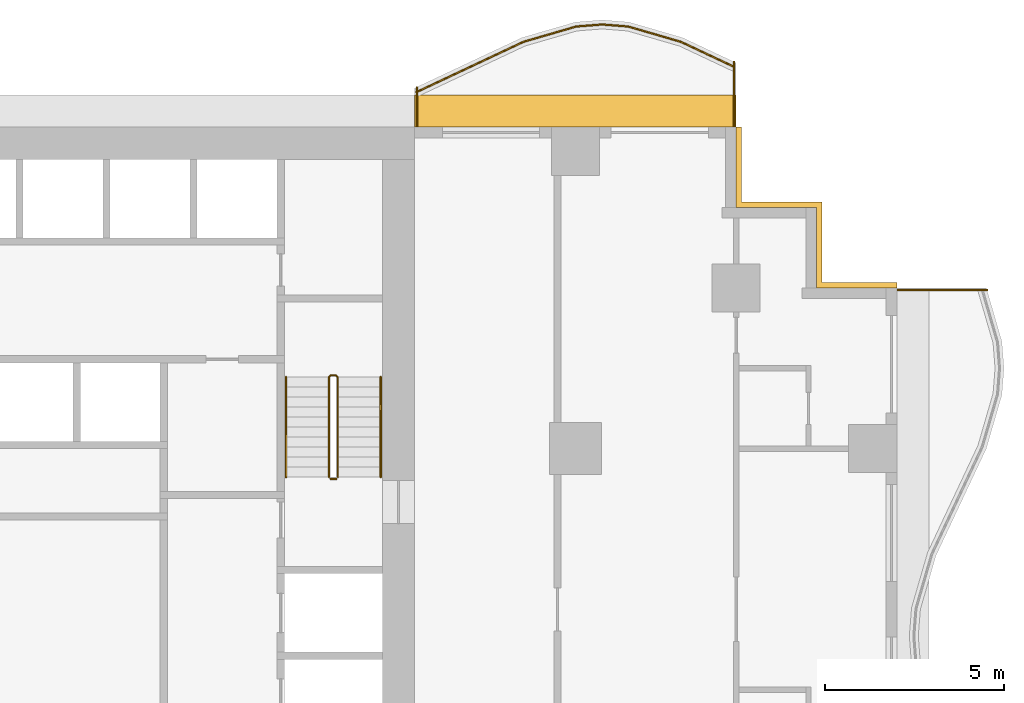
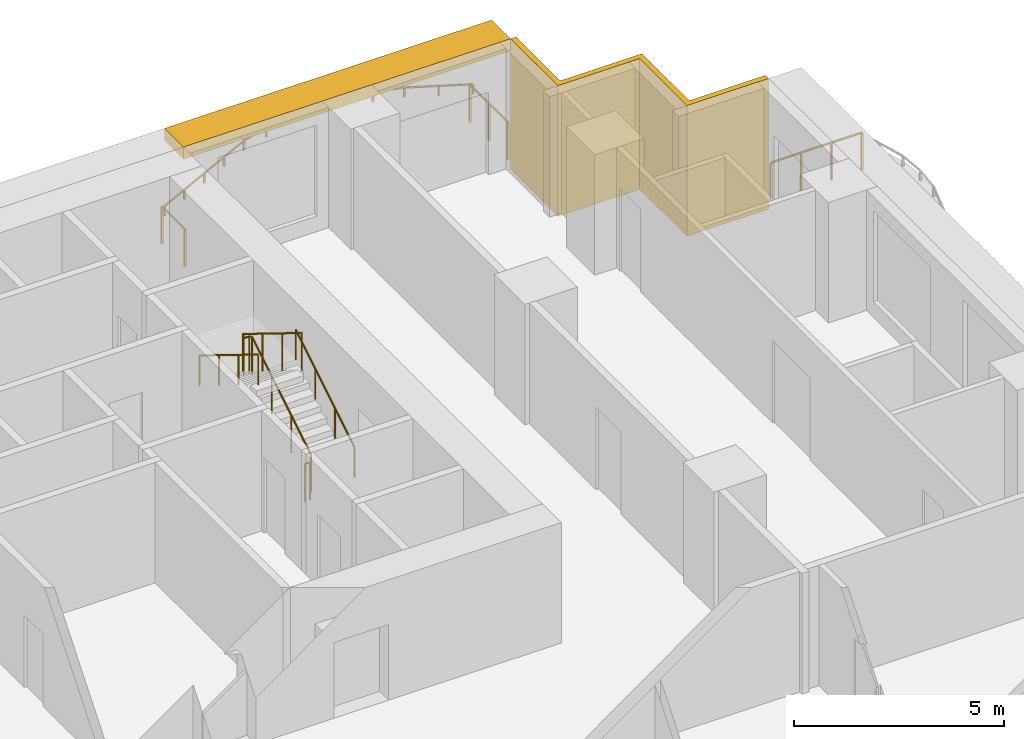
# One storey, part 13 of 13: 8 railings, 2 shading devices.
"""IFC4 building model written with IfcOpenShell, lengths in metres."""

from ifc_helpers import new_model, si_unit, direction, frame, origin, origin_2d, place, context, subcontext, project, spatial, polyline, rectangle, circle, outline, extrude, material, layer, layer_set, type_object, element, save


model = new_model("IFC4")

# Units and contexts
model_context = context("Model", 3, precision=1e-05, world=origin(), true_north=direction((0.0, 1.0)))
body_context = subcontext(model_context, "Body", "Model", "MODEL_VIEW")
ifc_project = project(units=[si_unit("LENGTHUNIT", "METRE"), si_unit("AREAUNIT", "SQUARE_METRE"), si_unit("VOLUMEUNIT", "CUBIC_METRE"), si_unit("PLANEANGLEUNIT", "RADIAN"), si_unit("MASSUNIT", "GRAM", prefix="KILO")], contexts=[model_context])

# Site, building, storey
site_placement = place(None, origin())
site = spatial("IfcSite", under=ifc_project, at=site_placement, CompositionType="ELEMENT")
building_placement = place(site_placement, origin())
building = spatial("IfcBuilding", under=site, at=building_placement, Name="Orbiselva Terraces", CompositionType="ELEMENT")
storey_placement = place(building_placement, frame((0.0, 0.0, 77.0)))
storey = spatial("IfcBuildingStorey", under=building, at=storey_placement, Name="L19", CompositionType="ELEMENT", Elevation=77.0)

# Railings
ifc_material_1 = material(Name="Stainless steel", Category="steel")
railing_type_1 = type_object("IfcRailingType", Name="CORE-GUARD-1100", PredefinedType="GUARDRAIL", material=ifc_material_1)
railing_1_placement = place(storey_placement, frame((11.35, 12.7, 0.172727)))
element("IfcRailing", 1, at=railing_1_placement, inside=storey, type_object=railing_type_1, Name="L19 S2 stair guard 1", PredefinedType="GUARDRAIL", context=body_context, shape_type="SweptSolid", body=[
    extrude(circle(Radius=0.024, at=origin_2d()), frame((0.0, 0.0, 1.081), z_axis=(0.0, 0.851088519012, 0.52502222125), x_axis=(-1.0, 0.0, 0.0)), (0.0, 0.0, 1.0), 3.289905),
    extrude(circle(Radius=0.024, at=origin_2d()), frame((0.0, 2.8, 2.808273), z_axis=(-0.707106781187, 0.707106781187, 0.0), x_axis=(-0.707106781187, -0.707106781187, 0.0)), (0.0, 0.0, 1.0), 0.070711),
    extrude(circle(Radius=0.024, at=origin_2d()), frame((-0.05, 2.85, 2.808273), z_axis=(-1.0, 0.0, 0.0), x_axis=(0.0, -1.0, 0.0)), (0.0, 0.0, 1.0), 0.15),
    extrude(circle(Radius=0.024, at=origin_2d()), frame((-0.2, 2.85, 2.808273), z_axis=(-0.267894925557, -0.267894925557, 0.925453736133), x_axis=(0.707106781187, -0.707106781187, 0.0)), (0.0, 0.0, 1.0), 0.18664),
    extrude(circle(Radius=0.024, at=origin_2d()), frame((-0.25, 2.8, 2.981), z_axis=(0.0, -0.851088519012, 0.52502222125), x_axis=(1.0, 0.0, 0.0)), (0.0, 0.0, 1.0), 3.289905),
    extrude(circle(Radius=0.021, at=origin_2d()), origin(), (0.0, 0.0, 1.0), 1.057),
    extrude(circle(Radius=0.021, at=origin_2d()), frame((0.0, 0.933333, 0.575758)), (0.0, 0.0, 1.0), 1.057),
    extrude(circle(Radius=0.021, at=origin_2d()), frame((0.0, 1.866667, 1.151515)), (0.0, 0.0, 1.0), 1.057),
    extrude(circle(Radius=0.021, at=origin_2d()), frame((0.0, 2.8, 1.727273)), (0.0, 0.0, 1.0), 1.057),
    extrude(circle(Radius=0.021, at=origin_2d()), frame((-0.05, 2.85, 1.727273)), (0.0, 0.0, 1.0), 1.057),
    extrude(circle(Radius=0.021, at=origin_2d()), frame((-0.2, 2.85, 1.727273)), (0.0, 0.0, 1.0), 1.057),
    extrude(circle(Radius=0.021, at=origin_2d()), frame((-0.25, 2.8, 1.9)), (0.0, 0.0, 1.0), 1.057),
    extrude(circle(Radius=0.021, at=origin_2d()), frame((-0.25, 1.866667, 2.475758)), (0.0, 0.0, 1.0), 1.057),
    extrude(circle(Radius=0.021, at=origin_2d()), frame((-0.25, 0.933333, 3.051515)), (0.0, 0.0, 1.0), 1.057),
    extrude(circle(Radius=0.021, at=origin_2d()), frame((-0.25, 0.0, 3.627273)), (0.0, 0.0, 1.0), 1.057),
])
railing_2_placement = place(storey_placement, frame((11.3, 12.65, 0.0)))
element("IfcRailing", 2, at=railing_2_placement, inside=storey, type_object=railing_type_1, Name="L19 S2 stair guard 2", PredefinedType="GUARDRAIL", context=body_context, shape_type="SweptSolid", body=[
    extrude(circle(Radius=0.024, at=origin_2d()), frame((0.0, 0.0, 1.081), z_axis=(-1.0, 0.0, 0.0), x_axis=(0.0, -1.0, 0.0)), (0.0, 0.0, 1.0), 0.15),
    extrude(circle(Radius=0.021, at=origin_2d()), origin(), (0.0, 0.0, 1.0), 1.057),
    extrude(circle(Radius=0.021, at=origin_2d()), frame((-0.15, 0.0, 0.0)), (0.0, 0.0, 1.0), 1.057),
])
railing_type_2 = type_object("IfcRailingType", Name="CORE-HANDRAIL-900", PredefinedType="HANDRAIL", material=ifc_material_1)
railing_3_placement = place(storey_placement, frame((12.55, 12.7, 0.172727)))
element("IfcRailing", 3, at=railing_3_placement, inside=storey, type_object=railing_type_2, Name="L19 S2 stair handrail 1", PredefinedType="HANDRAIL", context=body_context, shape_type="SweptSolid", body=[
    extrude(circle(Radius=0.024, at=origin_2d()), frame((0.0, 0.0, 0.876), z_axis=(0.0, 0.851088519012, 0.52502222125), x_axis=(-1.0, 0.0, 0.0)), (0.0, 0.0, 1.0), 3.289905),
    extrude(circle(Radius=0.021, at=origin_2d()), origin(), (0.0, 0.0, 1.0), 0.852),
    extrude(circle(Radius=0.021, at=origin_2d()), frame((0.0, 0.933333, 0.575758)), (0.0, 0.0, 1.0), 0.852),
    extrude(circle(Radius=0.021, at=origin_2d()), frame((0.0, 1.866667, 1.151515)), (0.0, 0.0, 1.0), 0.852),
    extrude(circle(Radius=0.021, at=origin_2d()), frame((0.0, 2.8, 1.727273)), (0.0, 0.0, 1.0), 0.852),
])
railing_4_placement = place(storey_placement, frame((9.9, 15.5, 2.072727)))
element("IfcRailing", 4, at=railing_4_placement, inside=storey, type_object=railing_type_2, Name="L19 S2 stair handrail 2", PredefinedType="HANDRAIL", context=body_context, shape_type="SweptSolid", body=[
    extrude(circle(Radius=0.024, at=origin_2d()), frame((0.0, 0.0, 0.876), z_axis=(0.0, -0.851088519012, 0.52502222125), x_axis=(1.0, 0.0, 0.0)), (0.0, 0.0, 1.0), 3.289905),
    extrude(circle(Radius=0.021, at=origin_2d()), origin(), (0.0, 0.0, 1.0), 0.852),
    extrude(circle(Radius=0.021, at=origin_2d()), frame((0.0, -0.933333, 0.575758)), (0.0, 0.0, 1.0), 0.852),
    extrude(circle(Radius=0.021, at=origin_2d()), frame((0.0, -1.866667, 1.151515)), (0.0, 0.0, 1.0), 0.852),
    extrude(circle(Radius=0.021, at=origin_2d()), frame((0.0, -2.8, 1.727273)), (0.0, 0.0, 1.0), 0.852),
])
ifc_material_2 = material(Name="Bonded two-ply safety glass balustrade, stainless steel posts", Category="steel")
railing_type_3 = type_object("IfcRailingType", Name="ENV-BALUSTRADE-1200", PredefinedType="BALUSTRADE", material=ifc_material_2)
railing_5_placement = place(storey_placement, frame((22.446809, 24.186882, 0.9)))
element("IfcRailing", 5, at=railing_5_placement, inside=storey, type_object=railing_type_3, Name="Balcony balustrade L19 NE", PredefinedType="BALUSTRADE", context=body_context, shape_type="SweptSolid", body=[
    extrude(outline(polyline([(0.028868, 0.0), (0.014434, 0.025), (-0.014434, 0.025), (-0.028868, 0.0), (-0.014434, -0.025), (0.014434, -0.025), (0.028868, 0.0)])), frame((0.0, 0.0, 0.275), z_axis=(-0.904944359461, 0.425529912322, 0.0), x_axis=(-0.425529912322, -0.904944359461, 0.0)), (0.0, 0.0, 1.0), 1.647746),
    extrude(outline(polyline([(0.028868, 0.0), (0.014434, 0.025), (-0.014434, 0.025), (-0.028868, 0.0), (-0.014434, -0.025), (0.014434, -0.025), (0.028868, 0.0)])), frame((-1.491118, 0.701165, 0.275), z_axis=(-0.960270317007, 0.279071528957, 0.0), x_axis=(-0.279071528957, -0.960270317007, 0.0)), (0.0, 0.0, 1.0), 1.539408),
    extrude(outline(polyline([(0.028868, 0.0), (0.014434, 0.025), (-0.014434, 0.025), (-0.028868, 0.0), (-0.014434, -0.025), (0.014434, -0.025), (0.028868, 0.0)])), frame((-2.969366, 1.13077, 0.275), z_axis=(-0.996947916106, 0.078069536776, 0.0), x_axis=(-0.078069536776, -0.996947916106, 0.0)), (0.0, 0.0, 1.0), 0.72967),
    extrude(outline(polyline([(0.028868, 0.0), (0.014434, 0.025), (-0.014434, 0.025), (-0.028868, 0.0), (-0.014434, -0.025), (0.014434, -0.025), (0.028868, 0.0)])), frame((-3.696809, 1.187735, 0.275), z_axis=(-0.996947916106, -0.078069536776, 0.0), x_axis=(0.078069536776, -0.996947916106, 0.0)), (0.0, 0.0, 1.0), 0.72967),
    extrude(outline(polyline([(0.028868, 0.0), (0.014434, 0.025), (-0.014434, 0.025), (-0.028868, 0.0), (-0.014434, -0.025), (0.014434, -0.025), (0.028868, 0.0)])), frame((-4.424252, 1.13077, 0.275), z_axis=(-0.960270317007, -0.279071528957, 0.0), x_axis=(0.279071528957, -0.960270317007, 0.0)), (0.0, 0.0, 1.0), 1.539408),
    extrude(outline(polyline([(0.028868, 0.0), (0.014434, 0.025), (-0.014434, 0.025), (-0.028868, 0.0), (-0.014434, -0.025), (0.014434, -0.025), (0.028868, 0.0)])), frame((-5.9025, 0.701165, 0.275), z_axis=(-0.904944359461, -0.425529912322, 0.0), x_axis=(0.425529912322, -0.904944359461, 0.0)), (0.0, 0.0, 1.0), 1.647746),
    extrude(outline(polyline([(0.028868, 0.0), (0.014434, 0.025), (-0.014434, 0.025), (-0.028868, 0.0), (-0.014434, -0.025), (0.014434, -0.025), (0.028868, 0.0)])), frame((-7.393618, 0.0, 0.275), z_axis=(-0.904944257823, -0.425530128467, 0.0), x_axis=(0.425530128467, -0.904944257823, 0.0)), (0.0, 0.0, 1.0), 1.657561),
    extrude(rectangle(XDim=0.05, YDim=0.05, at=origin_2d()), origin(), (0.0, 0.0, 1.0), 0.25),
    extrude(rectangle(XDim=0.05, YDim=0.05, at=origin_2d()), frame((-0.745559, 0.350582, 0.0)), (0.0, 0.0, 1.0), 0.25),
    extrude(rectangle(XDim=0.05, YDim=0.05, at=origin_2d()), frame((-1.491118, 0.701165, 0.0)), (0.0, 0.0, 1.0), 0.25),
    extrude(rectangle(XDim=0.05, YDim=0.05, at=origin_2d()), frame((-2.230242, 0.915967, 0.0)), (0.0, 0.0, 1.0), 0.25),
    extrude(rectangle(XDim=0.05, YDim=0.05, at=origin_2d()), frame((-2.969366, 1.13077, 0.0)), (0.0, 0.0, 1.0), 0.25),
    extrude(rectangle(XDim=0.05, YDim=0.05, at=origin_2d()), frame((-3.696809, 1.187735, 0.0)), (0.0, 0.0, 1.0), 0.25),
    extrude(rectangle(XDim=0.05, YDim=0.05, at=origin_2d()), frame((-4.424252, 1.13077, 0.0)), (0.0, 0.0, 1.0), 0.25),
    extrude(rectangle(XDim=0.05, YDim=0.05, at=origin_2d()), frame((-5.163376, 0.915967, 0.0)), (0.0, 0.0, 1.0), 0.25),
    extrude(rectangle(XDim=0.05, YDim=0.05, at=origin_2d()), frame((-5.9025, 0.701165, 0.0)), (0.0, 0.0, 1.0), 0.25),
    extrude(rectangle(XDim=0.05, YDim=0.05, at=origin_2d()), frame((-6.648059, 0.350582, 0.0)), (0.0, 0.0, 1.0), 0.25),
    extrude(rectangle(XDim=0.05, YDim=0.05, at=origin_2d()), frame((-7.393618, 0.0, 0.0)), (0.0, 0.0, 1.0), 0.25),
    extrude(rectangle(XDim=0.05, YDim=0.05, at=origin_2d()), frame((-8.143618, -0.352671, 0.0)), (0.0, 0.0, 1.0), 0.25),
    extrude(rectangle(XDim=0.05, YDim=0.05, at=origin_2d()), frame((-8.893618, -0.705342, 0.0)), (0.0, 0.0, 1.0), 0.25),
])
ifc_material_3 = material(Name="Stainless steel rail and posts", Category="steel")
railing_type_4 = type_object("IfcRailingType", Name="ENV-GUARD-1105", PredefinedType="BALUSTRADE", material=ifc_material_3)
railing_6_placement = place(storey_placement, frame((29.529516, 17.94, 0.0)))
element("IfcRailing", 6, at=railing_6_placement, inside=storey, type_object=railing_type_4, Name="Balcony end guard L19 E", PredefinedType="BALUSTRADE", context=body_context, shape_type="SweptSolid", body=[
    extrude(outline(polyline([(0.028868, 0.0), (0.014434, 0.025), (-0.014434, 0.025), (-0.028868, 0.0), (-0.014434, -0.025), (0.014434, -0.025), (0.028868, 0.0)])), frame((0.0, 0.0, 1.08), z_axis=(-1.0, 0.0, 0.0), x_axis=(0.0, -1.0, 0.0)), (0.0, 0.0, 1.0), 2.504516),
    extrude(rectangle(XDim=0.05, YDim=0.05, at=origin_2d()), origin(), (0.0, 0.0, 1.0), 1.055),
    extrude(rectangle(XDim=0.05, YDim=0.05, at=origin_2d()), frame((-0.834839, 0.0, 0.0)), (0.0, 0.0, 1.0), 1.055),
    extrude(rectangle(XDim=0.05, YDim=0.05, at=origin_2d()), frame((-1.669677, 0.0, 0.0)), (0.0, 0.0, 1.0), 1.055),
    extrude(rectangle(XDim=0.05, YDim=0.05, at=origin_2d()), frame((-2.504516, 0.0, 0.0)), (0.0, 0.0, 1.0), 1.055),
])
railing_7_placement = place(storey_placement, frame((22.44, 24.330156, 0.0)))
element("IfcRailing", 7, at=railing_7_placement, inside=storey, type_object=railing_type_4, Name="Balcony end guard L19 NE", PredefinedType="BALUSTRADE", context=body_context, shape_type="SweptSolid", body=[
    extrude(outline(polyline([(0.028868, 0.0), (0.014434, 0.025), (-0.014434, 0.025), (-0.028868, 0.0), (-0.014434, -0.025), (0.014434, -0.025), (0.028868, 0.0)])), frame((0.0, 0.0, 1.08), z_axis=(0.0, -1.0, 0.0), x_axis=(1.0, 0.0, 0.0)), (0.0, 0.0, 1.0), 1.805156),
    extrude(rectangle(XDim=0.05, YDim=0.05, at=origin_2d()), origin(), (0.0, 0.0, 1.0), 1.055),
    extrude(rectangle(XDim=0.05, YDim=0.05, at=origin_2d()), frame((0.0, -0.902578, 0.0)), (0.0, 0.0, 1.0), 1.055),
    extrude(rectangle(XDim=0.05, YDim=0.05, at=origin_2d()), frame((0.0, -1.805156, 0.0)), (0.0, 0.0, 1.0), 1.055),
])
railing_8_placement = place(storey_placement, frame((13.56, 23.619277, 0.0)))
element("IfcRailing", 8, at=railing_8_placement, inside=storey, type_object=railing_type_4, Name="Balcony end guard L19 NE", PredefinedType="BALUSTRADE", context=body_context, shape_type="SweptSolid", body=[
    extrude(outline(polyline([(0.028868, 0.0), (0.014434, 0.025), (-0.014434, 0.025), (-0.028868, 0.0), (-0.014434, -0.025), (0.014434, -0.025), (0.028868, 0.0)])), frame((0.0, 0.0, 1.08), z_axis=(0.0, -1.0, 0.0), x_axis=(1.0, 0.0, 0.0)), (0.0, 0.0, 1.0), 1.094277),
    extrude(rectangle(XDim=0.05, YDim=0.05, at=origin_2d()), origin(), (0.0, 0.0, 1.0), 1.055),
    extrude(rectangle(XDim=0.05, YDim=0.05, at=origin_2d()), frame((0.0, -1.094277, 0.0)), (0.0, 0.0, 1.0), 1.055),
])

# Shading devices
ifc_material_4 = material(Name="Terracotta louvre screen", Category="masonry")
ifc_layer_1 = layer(ifc_material_4, 0.15)
ifc_layer_set_1 = layer_set([ifc_layer_1], Name="Terracotta louvre screen")
shading_device_type_1 = type_object("IfcShadingDeviceType", Name="ENV-SCREEN-150", PredefinedType="USERDEFINED", material=ifc_layer_set_1)
shading_device_1_placement = place(storey_placement, frame((0.0, 0.0, -0.3)))
element("IfcShadingDevice", 9, at=shading_device_1_placement, inside=storey, type_object=shading_device_type_1, Name="Louvre screen L19 NE", ObjectType="SCREEN", PredefinedType="USERDEFINED", context=body_context, shape_type="SweptSolid", body=[
    extrude(outline(polyline([(27.0, 18.15), (24.9, 18.15), (24.9, 20.4), (22.65, 20.4), (22.65, 22.5), (22.5, 22.5), (22.5, 20.25), (24.75, 20.25), (24.75, 18.0), (27.0, 18.0), (27.0, 18.15)])), origin(), (0.0, 0.0, 1.0), 3.8),
])
ifc_material_5 = material(Name="Terracotta baguette sunshade", Category="masonry")
ifc_layer_2 = layer(ifc_material_5, 0.35)
ifc_layer_set_2 = layer_set([ifc_layer_2], Name="Terracotta baguette sunshade")
shading_device_type_2 = type_object("IfcShadingDeviceType", Name="ENV-SUNSHADE-900x350", PredefinedType="USERDEFINED", material=ifc_layer_set_2)
shading_device_2_placement = place(storey_placement, frame((0.0, 0.0, 3.15)))
element("IfcShadingDevice", 10, at=shading_device_2_placement, inside=storey, type_object=shading_device_type_2, Name="Sunshade band L19 NE", ObjectType="SUNSHADE", PredefinedType="USERDEFINED", context=body_context, shape_type="SweptSolid", body=[
    extrude(outline(polyline([(22.5, 23.4), (13.5, 23.4), (13.5, 22.5), (22.5, 22.5), (22.5, 23.4)])), origin(), (0.0, 0.0, 1.0), 0.35),
])

save(model, "model.ifc")
